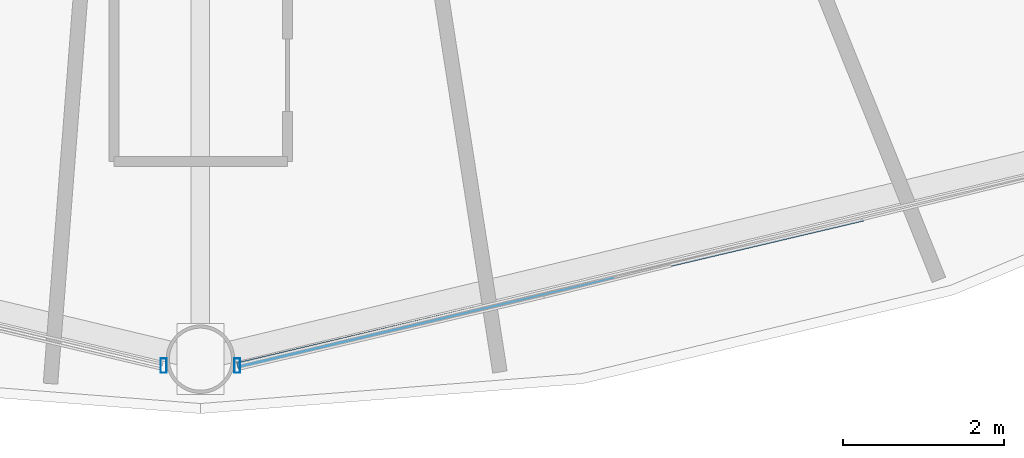
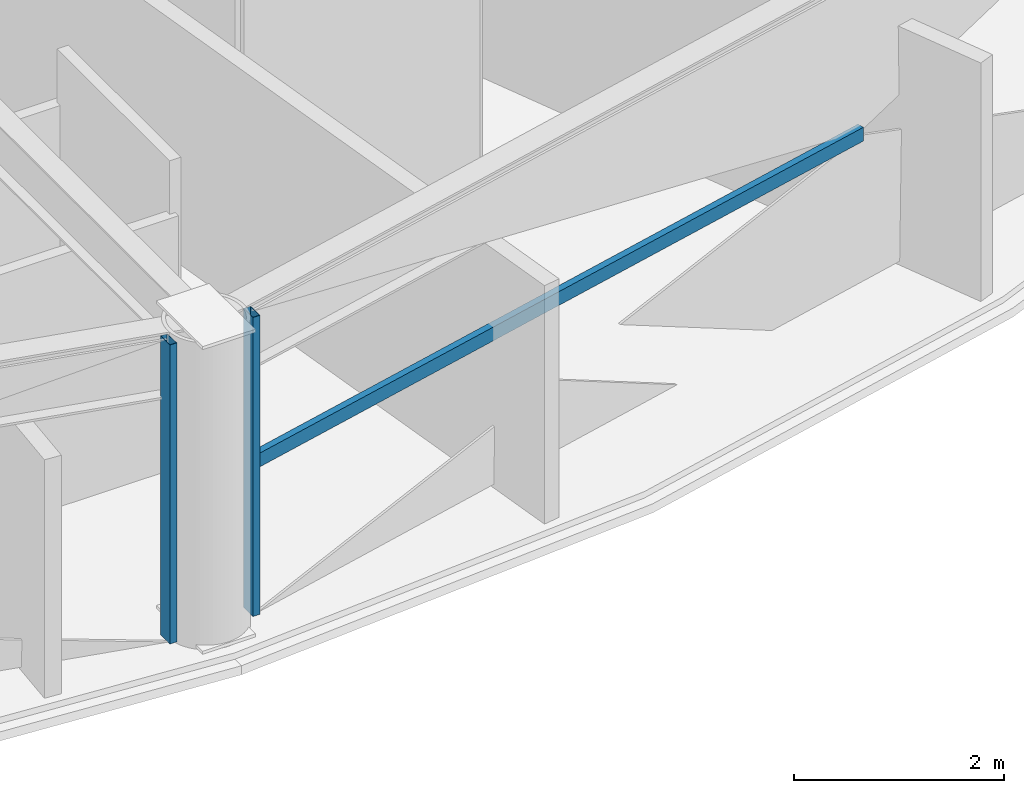
# One storey, part 4 of 32: 3 members, 2 elements without a shape of their own.
"""IFC4 building model written with IfcOpenShell, lengths in metres."""

from ifc_helpers import new_model, si_unit, direction, frame, origin, origin_2d, place, context, subcontext, project, spatial, hollow_rectangle, extrude, material, layer, layer_set, material_profile, profile_set, type_object, element, aggregate, save


model = new_model("IFC4")

# Units and contexts
model_context = context("Model", 3, precision=1e-05, world=origin(), true_north=direction((0.0, 1.0)))
body_context = subcontext(model_context, "Body", "Model", "MODEL_VIEW")
ifc_project = project(units=[si_unit("LENGTHUNIT", "METRE"), si_unit("AREAUNIT", "SQUARE_METRE"), si_unit("VOLUMEUNIT", "CUBIC_METRE"), si_unit("PLANEANGLEUNIT", "RADIAN"), si_unit("MASSUNIT", "GRAM", prefix="KILO")], contexts=[model_context])

# Site, building, storey
site_placement = place(None, origin())
site = spatial("IfcSite", under=ifc_project, at=site_placement, CompositionType="ELEMENT")
building_placement = place(site_placement, origin())
building = spatial("IfcBuilding", under=site, at=building_placement, Name="Vantalir Tower", CompositionType="ELEMENT")
storey_placement = place(building_placement, frame((0.0, 0.0, 45.75)))
storey = spatial("IfcBuildingStorey", under=building, at=storey_placement, Name="L10", CompositionType="ELEMENT", Elevation=45.75)

# Curtain wall, member
ifc_material_1 = material(Name="Champagne-silver PVDF aluminium and double-silver Low-E glass", Category="aluminium")
ifc_layer = layer(ifc_material_1, 0.18994140625)
ifc_layer_set = layer_set([ifc_layer], Name="Champagne-silver PVDF aluminium and double-silver Low-E glass")
curtain_wall_type = type_object("IfcCurtainWallType", Name="CW-DIAMOND-Z1", PredefinedType="USERDEFINED", material=ifc_layer_set)
curtain_wall_1_placement = place(storey_placement, origin())
curtain_wall_1 = element("IfcCurtainWall", 1, at=curtain_wall_1_placement, inside=storey, type_object=curtain_wall_type, Name="L10 Quilted Pyramid-Diamond Curtain Wall S09", ObjectType="UNITISED CURTAIN WALL", PredefinedType="USERDEFINED")
ifc_material_2 = material(Name="Champagne-silver PVDF aluminium 6063-T6", Category="aluminium")
ifc_material_profile_1 = material_profile(ifc_material_2, hollow_rectangle(XDim=0.074951171875, YDim=0.179931640625, WallThickness=0.00390625, at=origin_2d()), Name="Champagne-silver PVDF aluminium 6063-T6")
ifc_profile_set_1 = profile_set([ifc_material_profile_1], Name="Champagne-silver PVDF aluminium 6063-T6")
member_type_1 = type_object("IfcMemberType", Name="CWM-180x75", PredefinedType="MULLION", material=ifc_profile_set_1)
member_1_placement = place(storey_placement, frame((31.04296875, 1.193115234375, 0.044921875), z_axis=(0.0, 0.0, 1.0), x_axis=(1.0, 0.0, 0.0)))
member_1 = element("IfcMember", 2, at=member_1_placement, type_object=member_type_1, Name="CW-L10-S09 Mullion 2", PredefinedType="MULLION", context=body_context, shape_type="SweptSolid", body=[
    extrude(hollow_rectangle(XDim=0.074951171875, YDim=0.179931640625, WallThickness=0.00390625, at=origin_2d()), origin(), (0.0, 0.0, 1.0), 3.47998046875),
])
aggregate(curtain_wall_1, [member_1])

# Curtain wall, members
curtain_wall_2_placement = place(storey_placement, origin())
curtain_wall_2 = element("IfcCurtainWall", 3, at=curtain_wall_2_placement, inside=storey, type_object=curtain_wall_type, Name="L10 Quilted Pyramid-Diamond Curtain Wall S10", ObjectType="UNITISED CURTAIN WALL", PredefinedType="USERDEFINED")
member_2_placement = place(storey_placement, frame((31.95703125, 1.193115234375, 0.044921875), z_axis=(0.0, 0.0, 1.0), x_axis=(1.0, 0.0, 0.0)))
member_2 = element("IfcMember", 4, at=member_2_placement, type_object=member_type_1, Name="CW-L10-S10 Mullion 1", PredefinedType="MULLION", context=body_context, shape_type="SweptSolid", body=[
    extrude(hollow_rectangle(XDim=0.074951171875, YDim=0.179931640625, WallThickness=0.00390625, at=origin_2d()), origin(), (0.0, 0.0, 1.0), 3.47998046875),
])
ifc_material_profile_2 = material_profile(ifc_material_2, hollow_rectangle(XDim=0.074951171875, YDim=0.159912109375, WallThickness=0.00390625, at=origin_2d()), Name="Champagne-silver PVDF aluminium 6063-T6")
ifc_profile_set_2 = profile_set([ifc_material_profile_2], Name="Champagne-silver PVDF aluminium 6063-T6")
member_type_2 = type_object("IfcMemberType", Name="CWT-160x75", PredefinedType="USERDEFINED", material=ifc_profile_set_2)
member_3_placement = place(storey_placement, frame((31.95703125, 1.193115234375, 1.784912109375), z_axis=(0.973327525162, 0.229419983354, 0.0), x_axis=(-0.229419983354, 0.973327525162, 0.0)))
member_3 = element("IfcMember", 5, at=member_3_placement, type_object=member_type_2, Name="CW-L10-S10 Pyramid Fold Ridge Transom", ObjectType="TRANSOM", PredefinedType="USERDEFINED", context=body_context, shape_type="SweptSolid", body=[
    extrude(hollow_rectangle(XDim=0.074951171875, YDim=0.159912109375, WallThickness=0.00390625, at=origin_2d()), origin(), (0.0, 0.0, 1.0), 7.9716796875),
])
aggregate(curtain_wall_2, [member_2, member_3])

save(model, "model.ifc")
